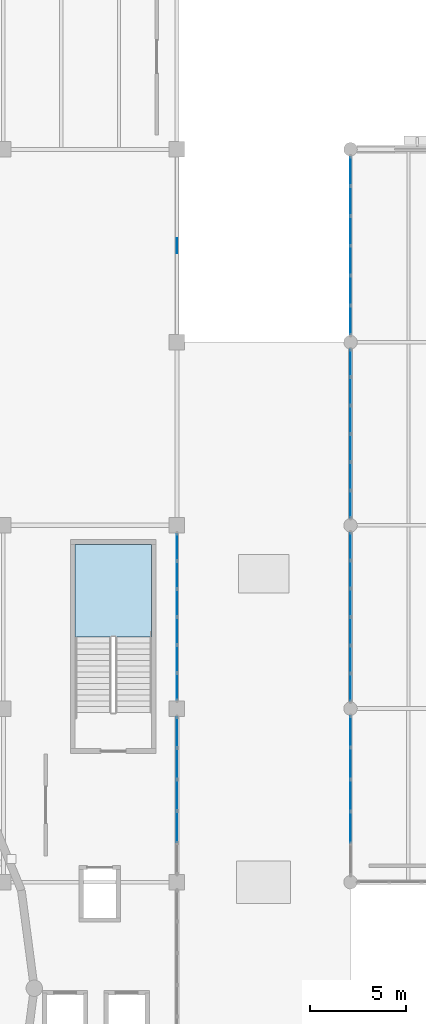
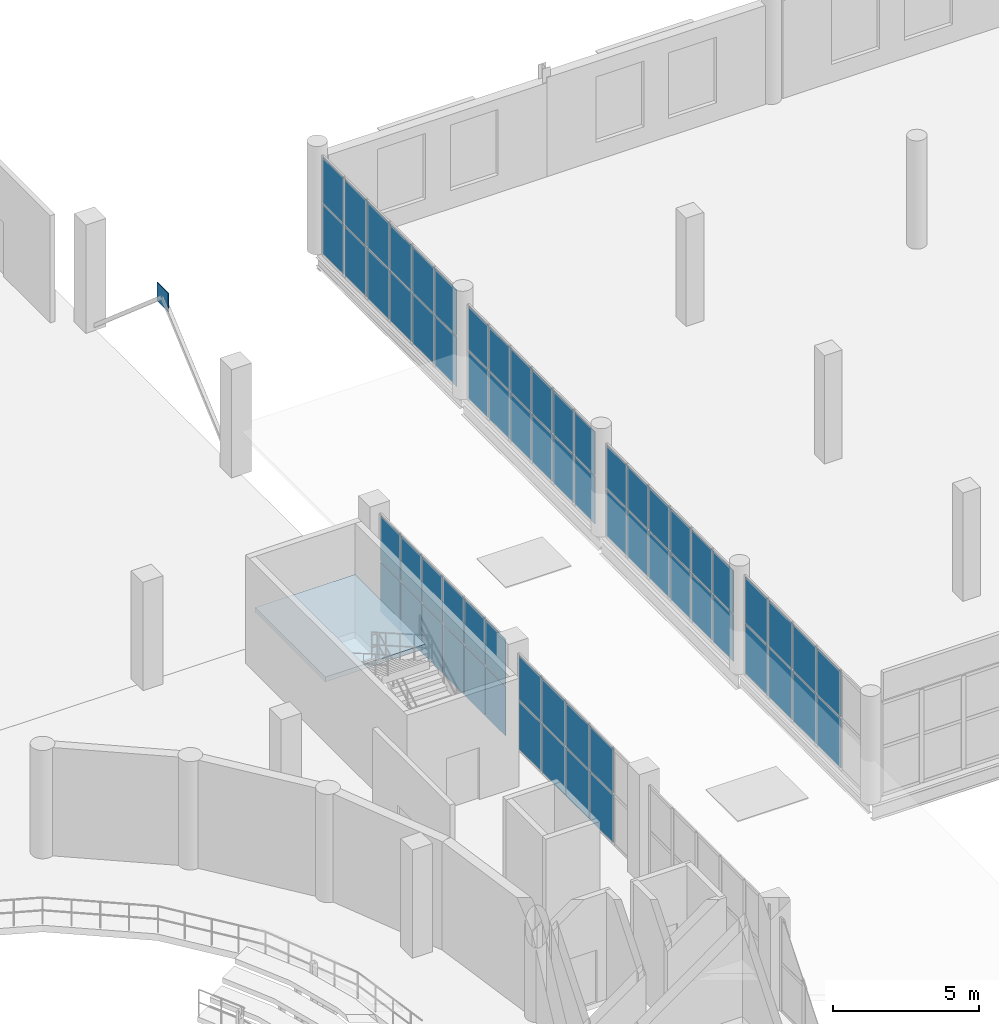
# One storey, part 63 of 93: 65 plates, 1 slab, 7 elements without a shape of their own.
"""IFC4 building model written with IfcOpenShell, lengths in metres."""

from ifc_helpers import new_model, si_unit, direction, frame, origin, origin_2d, place, context, subcontext, project, spatial, polyline, rectangle, outline, extrude, material, layer, layer_set, type_object, element, aggregate, save


model = new_model("IFC4")

# Units and contexts
model_context = context("Model", 3, precision=1e-05, world=origin(), true_north=direction((0.0, 1.0)))
body_context = subcontext(model_context, "Body", "Model", "MODEL_VIEW")
ifc_project = project(units=[si_unit("LENGTHUNIT", "METRE"), si_unit("AREAUNIT", "SQUARE_METRE"), si_unit("VOLUMEUNIT", "CUBIC_METRE"), si_unit("PLANEANGLEUNIT", "RADIAN"), si_unit("MASSUNIT", "GRAM", prefix="KILO")], contexts=[model_context])

# Site, building, storey
site_placement = place(None, origin())
site = spatial("IfcSite", under=ifc_project, at=site_placement, CompositionType="ELEMENT")
building_placement = place(site_placement, origin())
building = spatial("IfcBuilding", under=site, at=building_placement, Name="Marnock Terrace Opera House", CompositionType="ELEMENT")
storey_placement = place(building_placement, frame((0.0, 0.0, 5.39990234375)))
storey = spatial("IfcBuildingStorey", under=building, at=storey_placement, Name="L01", CompositionType="ELEMENT", Elevation=5.39990234375)

# Curtain wall, plates
ifc_material_1 = material(Name="Anodised architectural bronze aluminium framing", Category="aluminium")
ifc_layer_1 = layer(ifc_material_1, 0.159912109375)
ifc_layer_set_1 = layer_set([ifc_layer_1], Name="Anodised architectural bronze aluminium framing")
curtain_wall_type_1 = type_object("IfcCurtainWallType", Name="CW-FOYER-90x45", PredefinedType="NOTDEFINED", material=ifc_layer_set_1)
curtain_wall_1_placement = place(storey_placement, origin())
curtain_wall_1 = element("IfcCurtainWall", 1, at=curtain_wall_1_placement, inside=storey, type_object=curtain_wall_type_1, Name="L01 glazed Beaux-Arts colonnade curtain wall CW-V1E-L01-09", PredefinedType="NOTDEFINED")
ifc_material_2 = material(Name="Double-glazed acoustic low-E laminated glass", Category="glass")
ifc_layer_2 = layer(ifc_material_2, 0.028076171875)
ifc_layer_set_2 = layer_set([ifc_layer_2], Name="Double-glazed acoustic low-E laminated glass")
plate_type_1 = type_object("IfcPlateType", Name="CWP-GLZ-28", PredefinedType="CURTAIN_PANEL", material=ifc_layer_set_2)
plate_1_placement = place(storey_placement, frame((109.0, 76.13671875, 0.06005859375), z_axis=(0.0, 0.0, 1.0), x_axis=(0.0, 1.0, 0.0)))
plate_1 = element("IfcPlate", 2, at=plate_1_placement, type_object=plate_type_1, Name="CW-27 panel 1.1", PredefinedType="CURTAIN_PANEL", context=body_context, shape_type="SweptSolid", body=[
    extrude(rectangle(XDim=1.361328125, YDim=0.028076171875, at=origin_2d()), origin(), (0.0, 0.0, 1.0), 2.0703125),
])
plate_2_placement = place(storey_placement, frame((109.0, 76.13671875, 2.1904296875), z_axis=(0.0, 0.0, 1.0), x_axis=(0.0, 1.0, 0.0)))
plate_2 = element("IfcPlate", 3, at=plate_2_placement, type_object=plate_type_1, Name="CW-27 panel 1.2", PredefinedType="CURTAIN_PANEL", context=body_context, shape_type="SweptSolid", body=[
    extrude(rectangle(XDim=1.361328125, YDim=0.028076171875, at=origin_2d()), origin(), (0.0, 0.0, 1.0), 1.904052734375),
])
plate_3_placement = place(storey_placement, frame((109.0, 77.572998046875, 0.06005859375), z_axis=(0.0, 0.0, 1.0), x_axis=(0.0, 1.0, 0.0)))
plate_3 = element("IfcPlate", 4, at=plate_3_placement, type_object=plate_type_1, Name="CW-27 panel 2.1", PredefinedType="CURTAIN_PANEL", context=body_context, shape_type="SweptSolid", body=[
    extrude(rectangle(XDim=1.391357421875, YDim=0.028076171875, at=origin_2d()), origin(), (0.0, 0.0, 1.0), 2.0703125),
])
plate_4_placement = place(storey_placement, frame((109.0, 77.572998046875, 2.1904296875), z_axis=(0.0, 0.0, 1.0), x_axis=(0.0, 1.0, 0.0)))
plate_4 = element("IfcPlate", 5, at=plate_4_placement, type_object=plate_type_1, Name="CW-27 panel 2.2", PredefinedType="CURTAIN_PANEL", context=body_context, shape_type="SweptSolid", body=[
    extrude(rectangle(XDim=1.391357421875, YDim=0.028076171875, at=origin_2d()), origin(), (0.0, 0.0, 1.0), 1.904052734375),
])
plate_5_placement = place(storey_placement, frame((109.0, 79.0244140625, 0.06005859375), z_axis=(0.0, 0.0, 1.0), x_axis=(0.0, 1.0, 0.0)))
plate_5 = element("IfcPlate", 6, at=plate_5_placement, type_object=plate_type_1, Name="CW-27 panel 3.1", PredefinedType="CURTAIN_PANEL", context=body_context, shape_type="SweptSolid", body=[
    extrude(rectangle(XDim=1.391357421875, YDim=0.028076171875, at=origin_2d()), origin(), (0.0, 0.0, 1.0), 2.0703125),
])
plate_6_placement = place(storey_placement, frame((109.0, 79.0244140625, 2.1904296875), z_axis=(0.0, 0.0, 1.0), x_axis=(0.0, 1.0, 0.0)))
plate_6 = element("IfcPlate", 7, at=plate_6_placement, type_object=plate_type_1, Name="CW-27 panel 3.2", PredefinedType="CURTAIN_PANEL", context=body_context, shape_type="SweptSolid", body=[
    extrude(rectangle(XDim=1.391357421875, YDim=0.028076171875, at=origin_2d()), origin(), (0.0, 0.0, 1.0), 1.904052734375),
])
plate_7_placement = place(storey_placement, frame((109.0, 80.4755859375, 0.06005859375), z_axis=(0.0, 0.0, 1.0), x_axis=(0.0, 1.0, 0.0)))
plate_7 = element("IfcPlate", 8, at=plate_7_placement, type_object=plate_type_1, Name="CW-27 panel 4.1", PredefinedType="CURTAIN_PANEL", context=body_context, shape_type="SweptSolid", body=[
    extrude(rectangle(XDim=1.391357421875, YDim=0.028076171875, at=origin_2d()), origin(), (0.0, 0.0, 1.0), 2.0703125),
])
plate_8_placement = place(storey_placement, frame((109.0, 80.4755859375, 2.1904296875), z_axis=(0.0, 0.0, 1.0), x_axis=(0.0, 1.0, 0.0)))
plate_8 = element("IfcPlate", 9, at=plate_8_placement, type_object=plate_type_1, Name="CW-27 panel 4.2", PredefinedType="CURTAIN_PANEL", context=body_context, shape_type="SweptSolid", body=[
    extrude(rectangle(XDim=1.391357421875, YDim=0.028076171875, at=origin_2d()), origin(), (0.0, 0.0, 1.0), 1.904052734375),
])
plate_9_placement = place(storey_placement, frame((109.0, 81.927001953125, 0.06005859375), z_axis=(0.0, 0.0, 1.0), x_axis=(0.0, 1.0, 0.0)))
plate_9 = element("IfcPlate", 10, at=plate_9_placement, type_object=plate_type_1, Name="CW-27 panel 5.1", PredefinedType="CURTAIN_PANEL", context=body_context, shape_type="SweptSolid", body=[
    extrude(rectangle(XDim=1.391357421875, YDim=0.028076171875, at=origin_2d()), origin(), (0.0, 0.0, 1.0), 2.0703125),
])
plate_10_placement = place(storey_placement, frame((109.0, 81.927001953125, 2.1904296875), z_axis=(0.0, 0.0, 1.0), x_axis=(0.0, 1.0, 0.0)))
plate_10 = element("IfcPlate", 11, at=plate_10_placement, type_object=plate_type_1, Name="CW-27 panel 5.2", PredefinedType="CURTAIN_PANEL", context=body_context, shape_type="SweptSolid", body=[
    extrude(rectangle(XDim=1.391357421875, YDim=0.028076171875, at=origin_2d()), origin(), (0.0, 0.0, 1.0), 1.904052734375),
])
plate_11_placement = place(storey_placement, frame((109.0, 83.36328125, 0.06005859375), z_axis=(0.0, 0.0, 1.0), x_axis=(0.0, 1.0, 0.0)))
plate_11 = element("IfcPlate", 12, at=plate_11_placement, type_object=plate_type_1, Name="CW-27 panel 6.1", PredefinedType="CURTAIN_PANEL", context=body_context, shape_type="SweptSolid", body=[
    extrude(rectangle(XDim=1.361328125, YDim=0.028076171875, at=origin_2d()), origin(), (0.0, 0.0, 1.0), 2.0703125),
])
plate_12_placement = place(storey_placement, frame((109.0, 83.36328125, 2.1904296875), z_axis=(0.0, 0.0, 1.0), x_axis=(0.0, 1.0, 0.0)))
plate_12 = element("IfcPlate", 13, at=plate_12_placement, type_object=plate_type_1, Name="CW-27 panel 6.2", PredefinedType="CURTAIN_PANEL", context=body_context, shape_type="SweptSolid", body=[
    extrude(rectangle(XDim=1.361328125, YDim=0.028076171875, at=origin_2d()), origin(), (0.0, 0.0, 1.0), 1.904052734375),
])
aggregate(curtain_wall_1, [plate_1, plate_2, plate_3, plate_4, plate_5, plate_6, plate_7, plate_8, plate_9, plate_10, plate_11, plate_12])

ifc_layer_3 = layer(ifc_material_1, 0.159912109375)
ifc_layer_set_3 = layer_set([ifc_layer_3], Name="Anodised architectural bronze aluminium framing")
curtain_wall_type_2 = type_object("IfcCurtainWallType", Name="CW-LOGGIA-86x45", PredefinedType="NOTDEFINED", material=ifc_layer_set_3)
curtain_wall_2_placement = place(storey_placement, origin())
curtain_wall_2 = element("IfcCurtainWall", 14, at=curtain_wall_2_placement, inside=storey, type_object=curtain_wall_type_2, Name="L01 glazed Beaux-Arts colonnade curtain wall CW-V5-L01-W5", PredefinedType="NOTDEFINED")
plate_13_placement = place(storey_placement, frame((118.0, 68.83837890625, 0.06005859375), z_axis=(0.0, 0.0, 1.0), x_axis=(0.0, 1.0, 0.0)))
plate_13 = element("IfcPlate", 15, at=plate_13_placement, type_object=plate_type_1, Name="CW-61 panel 2.1", PredefinedType="CURTAIN_PANEL", context=body_context, shape_type="SweptSolid", body=[
    extrude(rectangle(XDim=1.6015625, YDim=0.028076171875, at=origin_2d()), origin(), (0.0, 0.0, 1.0), 2.0703125),
])
plate_14_placement = place(storey_placement, frame((118.0, 68.83837890625, 2.1904296875), z_axis=(0.0, 0.0, 1.0), x_axis=(0.0, 1.0, 0.0)))
plate_14 = element("IfcPlate", 16, at=plate_14_placement, type_object=plate_type_1, Name="CW-61 panel 2.2", PredefinedType="CURTAIN_PANEL", context=body_context, shape_type="SweptSolid", body=[
    extrude(rectangle(XDim=1.6015625, YDim=0.028076171875, at=origin_2d()), origin(), (0.0, 0.0, 1.0), 1.904052734375),
])
plate_15_placement = place(storey_placement, frame((118.0, 70.5, 0.06005859375), z_axis=(0.0, 0.0, 1.0), x_axis=(0.0, 1.0, 0.0)))
plate_15 = element("IfcPlate", 17, at=plate_15_placement, type_object=plate_type_1, Name="CW-61 panel 3.1", PredefinedType="CURTAIN_PANEL", context=body_context, shape_type="SweptSolid", body=[
    extrude(rectangle(XDim=1.6015625, YDim=0.028076171875, at=origin_2d()), origin(), (0.0, 0.0, 1.0), 2.0703125),
])
plate_16_placement = place(storey_placement, frame((118.0, 70.5, 2.1904296875), z_axis=(0.0, 0.0, 1.0), x_axis=(0.0, 1.0, 0.0)))
plate_16 = element("IfcPlate", 18, at=plate_16_placement, type_object=plate_type_1, Name="CW-61 panel 3.2", PredefinedType="CURTAIN_PANEL", context=body_context, shape_type="SweptSolid", body=[
    extrude(rectangle(XDim=1.6015625, YDim=0.028076171875, at=origin_2d()), origin(), (0.0, 0.0, 1.0), 1.904052734375),
])
plate_17_placement = place(storey_placement, frame((118.0, 72.16162109375, 0.06005859375), z_axis=(0.0, 0.0, 1.0), x_axis=(0.0, 1.0, 0.0)))
plate_17 = element("IfcPlate", 19, at=plate_17_placement, type_object=plate_type_1, Name="CW-61 panel 4.1", PredefinedType="CURTAIN_PANEL", context=body_context, shape_type="SweptSolid", body=[
    extrude(rectangle(XDim=1.6015625, YDim=0.028076171875, at=origin_2d()), origin(), (0.0, 0.0, 1.0), 2.0703125),
])
plate_18_placement = place(storey_placement, frame((118.0, 72.16162109375, 2.1904296875), z_axis=(0.0, 0.0, 1.0), x_axis=(0.0, 1.0, 0.0)))
plate_18 = element("IfcPlate", 20, at=plate_18_placement, type_object=plate_type_1, Name="CW-61 panel 4.2", PredefinedType="CURTAIN_PANEL", context=body_context, shape_type="SweptSolid", body=[
    extrude(rectangle(XDim=1.6015625, YDim=0.028076171875, at=origin_2d()), origin(), (0.0, 0.0, 1.0), 1.904052734375),
])
plate_19_placement = place(storey_placement, frame((118.0, 73.80810546875, 0.06005859375), z_axis=(0.0, 0.0, 1.0), x_axis=(0.0, 1.0, 0.0)))
plate_19 = element("IfcPlate", 21, at=plate_19_placement, type_object=plate_type_1, Name="CW-61 panel 5.1", PredefinedType="CURTAIN_PANEL", context=body_context, shape_type="SweptSolid", body=[
    extrude(rectangle(XDim=1.571533203125, YDim=0.028076171875, at=origin_2d()), origin(), (0.0, 0.0, 1.0), 2.0703125),
])
plate_20_placement = place(storey_placement, frame((118.0, 73.80810546875, 2.1904296875), z_axis=(0.0, 0.0, 1.0), x_axis=(0.0, 1.0, 0.0)))
plate_20 = element("IfcPlate", 22, at=plate_20_placement, type_object=plate_type_1, Name="CW-61 panel 5.2", PredefinedType="CURTAIN_PANEL", context=body_context, shape_type="SweptSolid", body=[
    extrude(rectangle(XDim=1.571533203125, YDim=0.028076171875, at=origin_2d()), origin(), (0.0, 0.0, 1.0), 1.904052734375),
])
aggregate(curtain_wall_2, [plate_13, plate_14, plate_15, plate_16, plate_17, plate_18, plate_19, plate_20])

ifc_layer_4 = layer(ifc_material_1, 0.159912109375)
ifc_layer_set_4 = layer_set([ifc_layer_4], Name="Anodised architectural bronze aluminium framing")
curtain_wall_type_3 = type_object("IfcCurtainWallType", Name="CW-FOYER-95x45", PredefinedType="NOTDEFINED", material=ifc_layer_set_4)
curtain_wall_3_placement = place(storey_placement, origin())
curtain_wall_3 = element("IfcCurtainWall", 23, at=curtain_wall_3_placement, inside=storey, type_object=curtain_wall_type_3, Name="L01 glazed Beaux-Arts colonnade curtain wall CW-V5-L01-W6", PredefinedType="NOTDEFINED")
plate_21_placement = place(storey_placement, frame((118.0, 76.094970703125, 0.06005859375), z_axis=(0.0, 0.0, 1.0), x_axis=(0.0, 1.0, 0.0)))
plate_21 = element("IfcPlate", 24, at=plate_21_placement, type_object=plate_type_1, Name="CW-53 panel 1.1", PredefinedType="CURTAIN_PANEL", context=body_context, shape_type="SweptSolid", body=[
    extrude(rectangle(XDim=1.3779296875, YDim=0.028076171875, at=origin_2d()), origin(), (0.0, 0.0, 1.0), 1.942138671875),
])
plate_22_placement = place(storey_placement, frame((118.0, 76.094970703125, 2.06201171875), z_axis=(0.0, 0.0, 1.0), x_axis=(0.0, 1.0, 0.0)))
plate_22 = element("IfcPlate", 25, at=plate_22_placement, type_object=plate_type_1, Name="CW-53 panel 1.2", PredefinedType="CURTAIN_PANEL", context=body_context, shape_type="SweptSolid", body=[
    extrude(rectangle(XDim=1.3779296875, YDim=0.028076171875, at=origin_2d()), origin(), (0.0, 0.0, 1.0), 1.785888671875),
])
plate_23_placement = place(storey_placement, frame((118.0, 77.548095703125, 0.06005859375), z_axis=(0.0, 0.0, 1.0), x_axis=(0.0, 1.0, 0.0)))
plate_23 = element("IfcPlate", 26, at=plate_23_placement, type_object=plate_type_1, Name="CW-53 panel 2.1", PredefinedType="CURTAIN_PANEL", context=body_context, shape_type="SweptSolid", body=[
    extrude(rectangle(XDim=1.407958984375, YDim=0.028076171875, at=origin_2d()), origin(), (0.0, 0.0, 1.0), 1.942138671875),
])
plate_24_placement = place(storey_placement, frame((118.0, 77.548095703125, 2.06201171875), z_axis=(0.0, 0.0, 1.0), x_axis=(0.0, 1.0, 0.0)))
plate_24 = element("IfcPlate", 27, at=plate_24_placement, type_object=plate_type_1, Name="CW-53 panel 2.2", PredefinedType="CURTAIN_PANEL", context=body_context, shape_type="SweptSolid", body=[
    extrude(rectangle(XDim=1.407958984375, YDim=0.028076171875, at=origin_2d()), origin(), (0.0, 0.0, 1.0), 1.785888671875),
])
plate_25_placement = place(storey_placement, frame((118.0, 79.01611328125, 0.06005859375), z_axis=(0.0, 0.0, 1.0), x_axis=(0.0, 1.0, 0.0)))
plate_25 = element("IfcPlate", 28, at=plate_25_placement, type_object=plate_type_1, Name="CW-53 panel 3.1", PredefinedType="CURTAIN_PANEL", context=body_context, shape_type="SweptSolid", body=[
    extrude(rectangle(XDim=1.407958984375, YDim=0.028076171875, at=origin_2d()), origin(), (0.0, 0.0, 1.0), 1.942138671875),
])
plate_26_placement = place(storey_placement, frame((118.0, 79.01611328125, 2.06201171875), z_axis=(0.0, 0.0, 1.0), x_axis=(0.0, 1.0, 0.0)))
plate_26 = element("IfcPlate", 29, at=plate_26_placement, type_object=plate_type_1, Name="CW-53 panel 3.2", PredefinedType="CURTAIN_PANEL", context=body_context, shape_type="SweptSolid", body=[
    extrude(rectangle(XDim=1.407958984375, YDim=0.028076171875, at=origin_2d()), origin(), (0.0, 0.0, 1.0), 1.785888671875),
])
plate_27_placement = place(storey_placement, frame((118.0, 80.48388671875, 0.06005859375), z_axis=(0.0, 0.0, 1.0), x_axis=(0.0, 1.0, 0.0)))
plate_27 = element("IfcPlate", 30, at=plate_27_placement, type_object=plate_type_1, Name="CW-53 panel 4.1", PredefinedType="CURTAIN_PANEL", context=body_context, shape_type="SweptSolid", body=[
    extrude(rectangle(XDim=1.407958984375, YDim=0.028076171875, at=origin_2d()), origin(), (0.0, 0.0, 1.0), 1.942138671875),
])
plate_28_placement = place(storey_placement, frame((118.0, 80.48388671875, 2.06201171875), z_axis=(0.0, 0.0, 1.0), x_axis=(0.0, 1.0, 0.0)))
plate_28 = element("IfcPlate", 31, at=plate_28_placement, type_object=plate_type_1, Name="CW-53 panel 4.2", PredefinedType="CURTAIN_PANEL", context=body_context, shape_type="SweptSolid", body=[
    extrude(rectangle(XDim=1.407958984375, YDim=0.028076171875, at=origin_2d()), origin(), (0.0, 0.0, 1.0), 1.785888671875),
])
plate_29_placement = place(storey_placement, frame((118.0, 81.951904296875, 0.06005859375), z_axis=(0.0, 0.0, 1.0), x_axis=(0.0, 1.0, 0.0)))
plate_29 = element("IfcPlate", 32, at=plate_29_placement, type_object=plate_type_1, Name="CW-53 panel 5.1", PredefinedType="CURTAIN_PANEL", context=body_context, shape_type="SweptSolid", body=[
    extrude(rectangle(XDim=1.407958984375, YDim=0.028076171875, at=origin_2d()), origin(), (0.0, 0.0, 1.0), 1.942138671875),
])
plate_30_placement = place(storey_placement, frame((118.0, 81.951904296875, 2.06201171875), z_axis=(0.0, 0.0, 1.0), x_axis=(0.0, 1.0, 0.0)))
plate_30 = element("IfcPlate", 33, at=plate_30_placement, type_object=plate_type_1, Name="CW-53 panel 5.2", PredefinedType="CURTAIN_PANEL", context=body_context, shape_type="SweptSolid", body=[
    extrude(rectangle(XDim=1.407958984375, YDim=0.028076171875, at=origin_2d()), origin(), (0.0, 0.0, 1.0), 1.785888671875),
])
plate_31_placement = place(storey_placement, frame((118.0, 83.405029296875, 0.06005859375), z_axis=(0.0, 0.0, 1.0), x_axis=(0.0, 1.0, 0.0)))
plate_31 = element("IfcPlate", 34, at=plate_31_placement, type_object=plate_type_1, Name="CW-53 panel 6.1", PredefinedType="CURTAIN_PANEL", context=body_context, shape_type="SweptSolid", body=[
    extrude(rectangle(XDim=1.3779296875, YDim=0.028076171875, at=origin_2d()), origin(), (0.0, 0.0, 1.0), 1.942138671875),
])
plate_32_placement = place(storey_placement, frame((118.0, 83.405029296875, 2.06201171875), z_axis=(0.0, 0.0, 1.0), x_axis=(0.0, 1.0, 0.0)))
plate_32 = element("IfcPlate", 35, at=plate_32_placement, type_object=plate_type_1, Name="CW-53 panel 6.2", PredefinedType="CURTAIN_PANEL", context=body_context, shape_type="SweptSolid", body=[
    extrude(rectangle(XDim=1.3779296875, YDim=0.028076171875, at=origin_2d()), origin(), (0.0, 0.0, 1.0), 1.785888671875),
])
aggregate(curtain_wall_3, [plate_21, plate_22, plate_23, plate_24, plate_25, plate_26, plate_27, plate_28, plate_29, plate_30, plate_31, plate_32])

curtain_wall_4_placement = place(storey_placement, origin())
curtain_wall_4 = element("IfcCurtainWall", 36, at=curtain_wall_4_placement, inside=storey, type_object=curtain_wall_type_3, Name="L01 glazed Beaux-Arts colonnade curtain wall CW-V5-L01-W7", PredefinedType="NOTDEFINED")
plate_33_placement = place(storey_placement, frame((118.0, 85.594970703125, 0.06005859375), z_axis=(0.0, 0.0, 1.0), x_axis=(0.0, 1.0, 0.0)))
plate_33 = element("IfcPlate", 37, at=plate_33_placement, type_object=plate_type_1, Name="CW-53 panel 1.1", PredefinedType="CURTAIN_PANEL", context=body_context, shape_type="SweptSolid", body=[
    extrude(rectangle(XDim=1.3779296875, YDim=0.028076171875, at=origin_2d()), origin(), (0.0, 0.0, 1.0), 1.980712890625),
])
plate_34_placement = place(storey_placement, frame((118.0, 85.594970703125, 2.100830078125), z_axis=(0.0, 0.0, 1.0), x_axis=(0.0, 1.0, 0.0)))
plate_34 = element("IfcPlate", 38, at=plate_34_placement, type_object=plate_type_1, Name="CW-53 panel 1.2", PredefinedType="CURTAIN_PANEL", context=body_context, shape_type="SweptSolid", body=[
    extrude(rectangle(XDim=1.3779296875, YDim=0.028076171875, at=origin_2d()), origin(), (0.0, 0.0, 1.0), 1.8212890625),
])
plate_35_placement = place(storey_placement, frame((118.0, 87.048095703125, 0.06005859375), z_axis=(0.0, 0.0, 1.0), x_axis=(0.0, 1.0, 0.0)))
plate_35 = element("IfcPlate", 39, at=plate_35_placement, type_object=plate_type_1, Name="CW-53 panel 2.1", PredefinedType="CURTAIN_PANEL", context=body_context, shape_type="SweptSolid", body=[
    extrude(rectangle(XDim=1.407958984375, YDim=0.028076171875, at=origin_2d()), origin(), (0.0, 0.0, 1.0), 1.980712890625),
])
plate_36_placement = place(storey_placement, frame((118.0, 87.048095703125, 2.100830078125), z_axis=(0.0, 0.0, 1.0), x_axis=(0.0, 1.0, 0.0)))
plate_36 = element("IfcPlate", 40, at=plate_36_placement, type_object=plate_type_1, Name="CW-53 panel 2.2", PredefinedType="CURTAIN_PANEL", context=body_context, shape_type="SweptSolid", body=[
    extrude(rectangle(XDim=1.407958984375, YDim=0.028076171875, at=origin_2d()), origin(), (0.0, 0.0, 1.0), 1.8212890625),
])
plate_37_placement = place(storey_placement, frame((118.0, 88.51611328125, 0.06005859375), z_axis=(0.0, 0.0, 1.0), x_axis=(0.0, 1.0, 0.0)))
plate_37 = element("IfcPlate", 41, at=plate_37_placement, type_object=plate_type_1, Name="CW-53 panel 3.1", PredefinedType="CURTAIN_PANEL", context=body_context, shape_type="SweptSolid", body=[
    extrude(rectangle(XDim=1.407958984375, YDim=0.028076171875, at=origin_2d()), origin(), (0.0, 0.0, 1.0), 1.980712890625),
])
plate_38_placement = place(storey_placement, frame((118.0, 88.51611328125, 2.100830078125), z_axis=(0.0, 0.0, 1.0), x_axis=(0.0, 1.0, 0.0)))
plate_38 = element("IfcPlate", 42, at=plate_38_placement, type_object=plate_type_1, Name="CW-53 panel 3.2", PredefinedType="CURTAIN_PANEL", context=body_context, shape_type="SweptSolid", body=[
    extrude(rectangle(XDim=1.407958984375, YDim=0.028076171875, at=origin_2d()), origin(), (0.0, 0.0, 1.0), 1.8212890625),
])
plate_39_placement = place(storey_placement, frame((118.0, 89.98388671875, 0.06005859375), z_axis=(0.0, 0.0, 1.0), x_axis=(0.0, 1.0, 0.0)))
plate_39 = element("IfcPlate", 43, at=plate_39_placement, type_object=plate_type_1, Name="CW-53 panel 4.1", PredefinedType="CURTAIN_PANEL", context=body_context, shape_type="SweptSolid", body=[
    extrude(rectangle(XDim=1.407958984375, YDim=0.028076171875, at=origin_2d()), origin(), (0.0, 0.0, 1.0), 1.980712890625),
])
plate_40_placement = place(storey_placement, frame((118.0, 89.98388671875, 2.100830078125), z_axis=(0.0, 0.0, 1.0), x_axis=(0.0, 1.0, 0.0)))
plate_40 = element("IfcPlate", 44, at=plate_40_placement, type_object=plate_type_1, Name="CW-53 panel 4.2", PredefinedType="CURTAIN_PANEL", context=body_context, shape_type="SweptSolid", body=[
    extrude(rectangle(XDim=1.407958984375, YDim=0.028076171875, at=origin_2d()), origin(), (0.0, 0.0, 1.0), 1.8212890625),
])
plate_41_placement = place(storey_placement, frame((118.0, 91.451904296875, 0.06005859375), z_axis=(0.0, 0.0, 1.0), x_axis=(0.0, 1.0, 0.0)))
plate_41 = element("IfcPlate", 45, at=plate_41_placement, type_object=plate_type_1, Name="CW-53 panel 5.1", PredefinedType="CURTAIN_PANEL", context=body_context, shape_type="SweptSolid", body=[
    extrude(rectangle(XDim=1.407958984375, YDim=0.028076171875, at=origin_2d()), origin(), (0.0, 0.0, 1.0), 1.980712890625),
])
plate_42_placement = place(storey_placement, frame((118.0, 91.451904296875, 2.100830078125), z_axis=(0.0, 0.0, 1.0), x_axis=(0.0, 1.0, 0.0)))
plate_42 = element("IfcPlate", 46, at=plate_42_placement, type_object=plate_type_1, Name="CW-53 panel 5.2", PredefinedType="CURTAIN_PANEL", context=body_context, shape_type="SweptSolid", body=[
    extrude(rectangle(XDim=1.407958984375, YDim=0.028076171875, at=origin_2d()), origin(), (0.0, 0.0, 1.0), 1.8212890625),
])
plate_43_placement = place(storey_placement, frame((118.0, 92.905029296875, 0.06005859375), z_axis=(0.0, 0.0, 1.0), x_axis=(0.0, 1.0, 0.0)))
plate_43 = element("IfcPlate", 47, at=plate_43_placement, type_object=plate_type_1, Name="CW-53 panel 6.1", PredefinedType="CURTAIN_PANEL", context=body_context, shape_type="SweptSolid", body=[
    extrude(rectangle(XDim=1.3779296875, YDim=0.028076171875, at=origin_2d()), origin(), (0.0, 0.0, 1.0), 1.980712890625),
])
plate_44_placement = place(storey_placement, frame((118.0, 92.905029296875, 2.100830078125), z_axis=(0.0, 0.0, 1.0), x_axis=(0.0, 1.0, 0.0)))
plate_44 = element("IfcPlate", 48, at=plate_44_placement, type_object=plate_type_1, Name="CW-53 panel 6.2", PredefinedType="CURTAIN_PANEL", context=body_context, shape_type="SweptSolid", body=[
    extrude(rectangle(XDim=1.3779296875, YDim=0.028076171875, at=origin_2d()), origin(), (0.0, 0.0, 1.0), 1.8212890625),
])
aggregate(curtain_wall_4, [plate_33, plate_34, plate_35, plate_36, plate_37, plate_38, plate_39, plate_40, plate_41, plate_42, plate_43, plate_44])

curtain_wall_5_placement = place(storey_placement, origin())
curtain_wall_5 = element("IfcCurtainWall", 49, at=curtain_wall_5_placement, inside=storey, type_object=curtain_wall_type_3, Name="L01 glazed Beaux-Arts colonnade curtain wall CW-V5-L01-W8", PredefinedType="NOTDEFINED")
plate_45_placement = place(storey_placement, frame((118.0, 95.13671875, 0.06005859375), z_axis=(0.0, 0.0, 1.0), x_axis=(0.0, 1.0, 0.0)))
plate_45 = element("IfcPlate", 50, at=plate_45_placement, type_object=plate_type_1, Name="CW-53 panel 1.1", PredefinedType="CURTAIN_PANEL", context=body_context, shape_type="SweptSolid", body=[
    extrude(rectangle(XDim=1.46142578125, YDim=0.028076171875, at=origin_2d()), origin(), (0.0, 0.0, 1.0), 2.0703125),
])
plate_46_placement = place(storey_placement, frame((118.0, 95.13671875, 2.1904296875), z_axis=(0.0, 0.0, 1.0), x_axis=(0.0, 1.0, 0.0)))
plate_46 = element("IfcPlate", 51, at=plate_46_placement, type_object=plate_type_1, Name="CW-53 panel 1.2", PredefinedType="CURTAIN_PANEL", context=body_context, shape_type="SweptSolid", body=[
    extrude(rectangle(XDim=1.46142578125, YDim=0.028076171875, at=origin_2d()), origin(), (0.0, 0.0, 1.0), 1.904052734375),
])
plate_47_placement = place(storey_placement, frame((118.0, 96.673095703125, 0.06005859375), z_axis=(0.0, 0.0, 1.0), x_axis=(0.0, 1.0, 0.0)))
plate_47 = element("IfcPlate", 52, at=plate_47_placement, type_object=plate_type_1, Name="CW-53 panel 2.1", PredefinedType="CURTAIN_PANEL", context=body_context, shape_type="SweptSolid", body=[
    extrude(rectangle(XDim=1.491455078125, YDim=0.028076171875, at=origin_2d()), origin(), (0.0, 0.0, 1.0), 2.0703125),
])
plate_48_placement = place(storey_placement, frame((118.0, 96.673095703125, 2.1904296875), z_axis=(0.0, 0.0, 1.0), x_axis=(0.0, 1.0, 0.0)))
plate_48 = element("IfcPlate", 53, at=plate_48_placement, type_object=plate_type_1, Name="CW-53 panel 2.2", PredefinedType="CURTAIN_PANEL", context=body_context, shape_type="SweptSolid", body=[
    extrude(rectangle(XDim=1.491455078125, YDim=0.028076171875, at=origin_2d()), origin(), (0.0, 0.0, 1.0), 1.904052734375),
])
plate_49_placement = place(storey_placement, frame((118.0, 98.224365234375, 0.06005859375), z_axis=(0.0, 0.0, 1.0), x_axis=(0.0, 1.0, 0.0)))
plate_49 = element("IfcPlate", 54, at=plate_49_placement, type_object=plate_type_1, Name="CW-53 panel 3.1", PredefinedType="CURTAIN_PANEL", context=body_context, shape_type="SweptSolid", body=[
    extrude(rectangle(XDim=1.491455078125, YDim=0.028076171875, at=origin_2d()), origin(), (0.0, 0.0, 1.0), 2.0703125),
])
plate_50_placement = place(storey_placement, frame((118.0, 98.224365234375, 2.1904296875), z_axis=(0.0, 0.0, 1.0), x_axis=(0.0, 1.0, 0.0)))
plate_50 = element("IfcPlate", 55, at=plate_50_placement, type_object=plate_type_1, Name="CW-53 panel 3.2", PredefinedType="CURTAIN_PANEL", context=body_context, shape_type="SweptSolid", body=[
    extrude(rectangle(XDim=1.491455078125, YDim=0.028076171875, at=origin_2d()), origin(), (0.0, 0.0, 1.0), 1.904052734375),
])
plate_51_placement = place(storey_placement, frame((118.0, 99.775634765625, 0.06005859375), z_axis=(0.0, 0.0, 1.0), x_axis=(0.0, 1.0, 0.0)))
plate_51 = element("IfcPlate", 56, at=plate_51_placement, type_object=plate_type_1, Name="CW-53 panel 4.1", PredefinedType="CURTAIN_PANEL", context=body_context, shape_type="SweptSolid", body=[
    extrude(rectangle(XDim=1.491455078125, YDim=0.028076171875, at=origin_2d()), origin(), (0.0, 0.0, 1.0), 2.0703125),
])
plate_52_placement = place(storey_placement, frame((118.0, 99.775634765625, 2.1904296875), z_axis=(0.0, 0.0, 1.0), x_axis=(0.0, 1.0, 0.0)))
plate_52 = element("IfcPlate", 57, at=plate_52_placement, type_object=plate_type_1, Name="CW-53 panel 4.2", PredefinedType="CURTAIN_PANEL", context=body_context, shape_type="SweptSolid", body=[
    extrude(rectangle(XDim=1.491455078125, YDim=0.028076171875, at=origin_2d()), origin(), (0.0, 0.0, 1.0), 1.904052734375),
])
plate_53_placement = place(storey_placement, frame((118.0, 101.326904296875, 0.06005859375), z_axis=(0.0, 0.0, 1.0), x_axis=(0.0, 1.0, 0.0)))
plate_53 = element("IfcPlate", 58, at=plate_53_placement, type_object=plate_type_1, Name="CW-53 panel 5.1", PredefinedType="CURTAIN_PANEL", context=body_context, shape_type="SweptSolid", body=[
    extrude(rectangle(XDim=1.491455078125, YDim=0.028076171875, at=origin_2d()), origin(), (0.0, 0.0, 1.0), 2.0703125),
])
plate_54_placement = place(storey_placement, frame((118.0, 101.326904296875, 2.1904296875), z_axis=(0.0, 0.0, 1.0), x_axis=(0.0, 1.0, 0.0)))
plate_54 = element("IfcPlate", 59, at=plate_54_placement, type_object=plate_type_1, Name="CW-53 panel 5.2", PredefinedType="CURTAIN_PANEL", context=body_context, shape_type="SweptSolid", body=[
    extrude(rectangle(XDim=1.491455078125, YDim=0.028076171875, at=origin_2d()), origin(), (0.0, 0.0, 1.0), 1.904052734375),
])
plate_55_placement = place(storey_placement, frame((118.0, 102.86328125, 0.06005859375), z_axis=(0.0, 0.0, 1.0), x_axis=(0.0, 1.0, 0.0)))
plate_55 = element("IfcPlate", 60, at=plate_55_placement, type_object=plate_type_1, Name="CW-53 panel 6.1", PredefinedType="CURTAIN_PANEL", context=body_context, shape_type="SweptSolid", body=[
    extrude(rectangle(XDim=1.46142578125, YDim=0.028076171875, at=origin_2d()), origin(), (0.0, 0.0, 1.0), 2.0703125),
])
plate_56_placement = place(storey_placement, frame((118.0, 102.86328125, 2.1904296875), z_axis=(0.0, 0.0, 1.0), x_axis=(0.0, 1.0, 0.0)))
plate_56 = element("IfcPlate", 61, at=plate_56_placement, type_object=plate_type_1, Name="CW-53 panel 6.2", PredefinedType="CURTAIN_PANEL", context=body_context, shape_type="SweptSolid", body=[
    extrude(rectangle(XDim=1.46142578125, YDim=0.028076171875, at=origin_2d()), origin(), (0.0, 0.0, 1.0), 1.904052734375),
])
aggregate(curtain_wall_5, [plate_45, plate_46, plate_47, plate_48, plate_49, plate_50, plate_51, plate_52, plate_53, plate_54, plate_55, plate_56])

curtain_wall_6_placement = place(storey_placement, origin())
curtain_wall_6 = element("IfcCurtainWall", 62, at=curtain_wall_6_placement, inside=storey, type_object=curtain_wall_type_1, Name="L01 glazed Beaux-Arts colonnade curtain wall CW-V1E-L01-08", PredefinedType="NOTDEFINED")
ifc_layer_5 = layer(ifc_material_1, 0.035888671875)
ifc_layer_set_5 = layer_set([ifc_layer_5], Name="Anodised architectural bronze aluminium framing")
plate_type_2 = type_object("IfcPlateType", Name="CWP-SPAND-36", PredefinedType="CURTAIN_PANEL", material=ifc_layer_set_5)
plate_57_placement = place(storey_placement, frame((109.0, 68.8583984375, 0.06005859375), z_axis=(0.0, 0.0, 1.0), x_axis=(0.0, 1.0, 0.0)))
plate_57 = element("IfcPlate", 63, at=plate_57_placement, type_object=plate_type_2, Name="CW-27 panel 2.1", PredefinedType="CURTAIN_PANEL", context=body_context, shape_type="SweptSolid", body=[
    extrude(rectangle(XDim=1.58154296875, YDim=0.028076171875, at=origin_2d()), origin(), (0.0, 0.0, 1.0), 2.017333984375),
])
plate_58_placement = place(storey_placement, frame((109.0, 68.8583984375, 2.1376953125), z_axis=(0.0, 0.0, 1.0), x_axis=(0.0, 1.0, 0.0)))
plate_58 = element("IfcPlate", 64, at=plate_58_placement, type_object=plate_type_2, Name="CW-27 panel 2.2", PredefinedType="CURTAIN_PANEL", context=body_context, shape_type="SweptSolid", body=[
    extrude(rectangle(XDim=1.58154296875, YDim=0.028076171875, at=origin_2d()), origin(), (0.0, 0.0, 1.0), 1.855224609375),
])
plate_59_placement = place(storey_placement, frame((109.0, 70.5, 0.06005859375), z_axis=(0.0, 0.0, 1.0), x_axis=(0.0, 1.0, 0.0)))
plate_59 = element("IfcPlate", 65, at=plate_59_placement, type_object=plate_type_2, Name="CW-27 panel 3.1", PredefinedType="CURTAIN_PANEL", context=body_context, shape_type="SweptSolid", body=[
    extrude(rectangle(XDim=1.58154296875, YDim=0.028076171875, at=origin_2d()), origin(), (0.0, 0.0, 1.0), 2.017333984375),
])
plate_60_placement = place(storey_placement, frame((109.0, 70.5, 2.1376953125), z_axis=(0.0, 0.0, 1.0), x_axis=(0.0, 1.0, 0.0)))
plate_60 = element("IfcPlate", 66, at=plate_60_placement, type_object=plate_type_2, Name="CW-27 panel 3.2", PredefinedType="CURTAIN_PANEL", context=body_context, shape_type="SweptSolid", body=[
    extrude(rectangle(XDim=1.58154296875, YDim=0.028076171875, at=origin_2d()), origin(), (0.0, 0.0, 1.0), 1.855224609375),
])
plate_61_placement = place(storey_placement, frame((109.0, 72.1416015625, 0.06005859375), z_axis=(0.0, 0.0, 1.0), x_axis=(0.0, 1.0, 0.0)))
plate_61 = element("IfcPlate", 67, at=plate_61_placement, type_object=plate_type_2, Name="CW-27 panel 4.1", PredefinedType="CURTAIN_PANEL", context=body_context, shape_type="SweptSolid", body=[
    extrude(rectangle(XDim=1.58154296875, YDim=0.028076171875, at=origin_2d()), origin(), (0.0, 0.0, 1.0), 2.017333984375),
])
plate_62_placement = place(storey_placement, frame((109.0, 72.1416015625, 2.1376953125), z_axis=(0.0, 0.0, 1.0), x_axis=(0.0, 1.0, 0.0)))
plate_62 = element("IfcPlate", 68, at=plate_62_placement, type_object=plate_type_2, Name="CW-27 panel 4.2", PredefinedType="CURTAIN_PANEL", context=body_context, shape_type="SweptSolid", body=[
    extrude(rectangle(XDim=1.58154296875, YDim=0.028076171875, at=origin_2d()), origin(), (0.0, 0.0, 1.0), 1.855224609375),
])
plate_63_placement = place(storey_placement, frame((109.0, 73.768310546875, 0.06005859375), z_axis=(0.0, 0.0, 1.0), x_axis=(0.0, 1.0, 0.0)))
plate_63 = element("IfcPlate", 69, at=plate_63_placement, type_object=plate_type_2, Name="CW-27 panel 5.1", PredefinedType="CURTAIN_PANEL", context=body_context, shape_type="SweptSolid", body=[
    extrude(rectangle(XDim=1.551513671875, YDim=0.028076171875, at=origin_2d()), origin(), (0.0, 0.0, 1.0), 2.017333984375),
])
plate_64_placement = place(storey_placement, frame((109.0, 73.768310546875, 2.1376953125), z_axis=(0.0, 0.0, 1.0), x_axis=(0.0, 1.0, 0.0)))
plate_64 = element("IfcPlate", 70, at=plate_64_placement, type_object=plate_type_2, Name="CW-27 panel 5.2", PredefinedType="CURTAIN_PANEL", context=body_context, shape_type="SweptSolid", body=[
    extrude(rectangle(XDim=1.551513671875, YDim=0.028076171875, at=origin_2d()), origin(), (0.0, 0.0, 1.0), 1.855224609375),
])
aggregate(curtain_wall_6, [plate_57, plate_58, plate_59, plate_60, plate_61, plate_62, plate_63, plate_64])

# Plate
ifc_material_3 = material(Name="Steel Grade 350 (AS/NZS 3679.1)", Category="steel")
ifc_layer_6 = layer(ifc_material_3, 0.030029296875)
ifc_layer_set_6 = layer_set([ifc_layer_6], Name="Steel Grade 350 (AS/NZS 3679.1)")
plate_type_3 = type_object("IfcPlateType", Name="PLT-GUSSET-30", PredefinedType="SHEET", material=ifc_layer_set_6)
plate_65_placement = place(storey_placement, frame((109.0, 99.0, 3.7900390625), z_axis=(0.0, 0.0, 1.0), x_axis=(0.0, 1.0, 0.0)))
element("IfcPlate", 71, at=plate_65_placement, inside=storey, type_object=plate_type_3, Name="L01 chevron brace gusset plate BN-12", PredefinedType="SHEET", context=body_context, shape_type="SweptSolid", body=[
    extrude(rectangle(XDim=0.780029296875, YDim=0.030029296875, at=origin_2d()), origin(), (0.0, 0.0, 1.0), 0.780029296875),
])

# Stair, slab
ifc_material_4 = material(Name="Concrete N40 (f'c = 40 MPa)", Category="concrete")
stair_type = type_object("IfcStairType", Name="ST-TYPE-2400", PredefinedType="HALF_TURN_STAIR", material=ifc_material_4)
stair_placement = place(storey_placement, origin())
stair = element("IfcStair", 72, at=stair_placement, inside=storey, type_object=stair_type, Name="L01 ST-04", PredefinedType="HALF_TURN_STAIR")
ifc_material_5 = material(Name="Concrete N32 (f'c = 32 MPa)", Category="concrete")
ifc_layer_7 = layer(ifc_material_5, 0.199951171875)
ifc_layer_set_7 = layer_set([ifc_layer_7], Name="Concrete N32 (f'c = 32 MPa)")
slab_type = type_object("IfcSlabType", Name="SL-LAND-200", PredefinedType="LANDING", material=ifc_layer_set_7)
slab_placement = place(storey_placement, frame((0.0, 0.0, 2.2001953125)))
slab = element("IfcSlab", 73, at=slab_placement, type_object=slab_type, Name="ST-04 landing 1", PredefinedType="LANDING", context=body_context, shape_type="SweptSolid", body=[
    extrude(outline(polyline([(107.679931640625, 78.699951171875), (107.679931640625, 83.52001953125), (103.719970703125, 83.52001953125), (103.719970703125, 78.699951171875), (107.679931640625, 78.699951171875)])), origin(), (0.0, 0.0, 1.0), 0.199951171875),
])
aggregate(stair, [slab])

save(model, "model.ifc")
